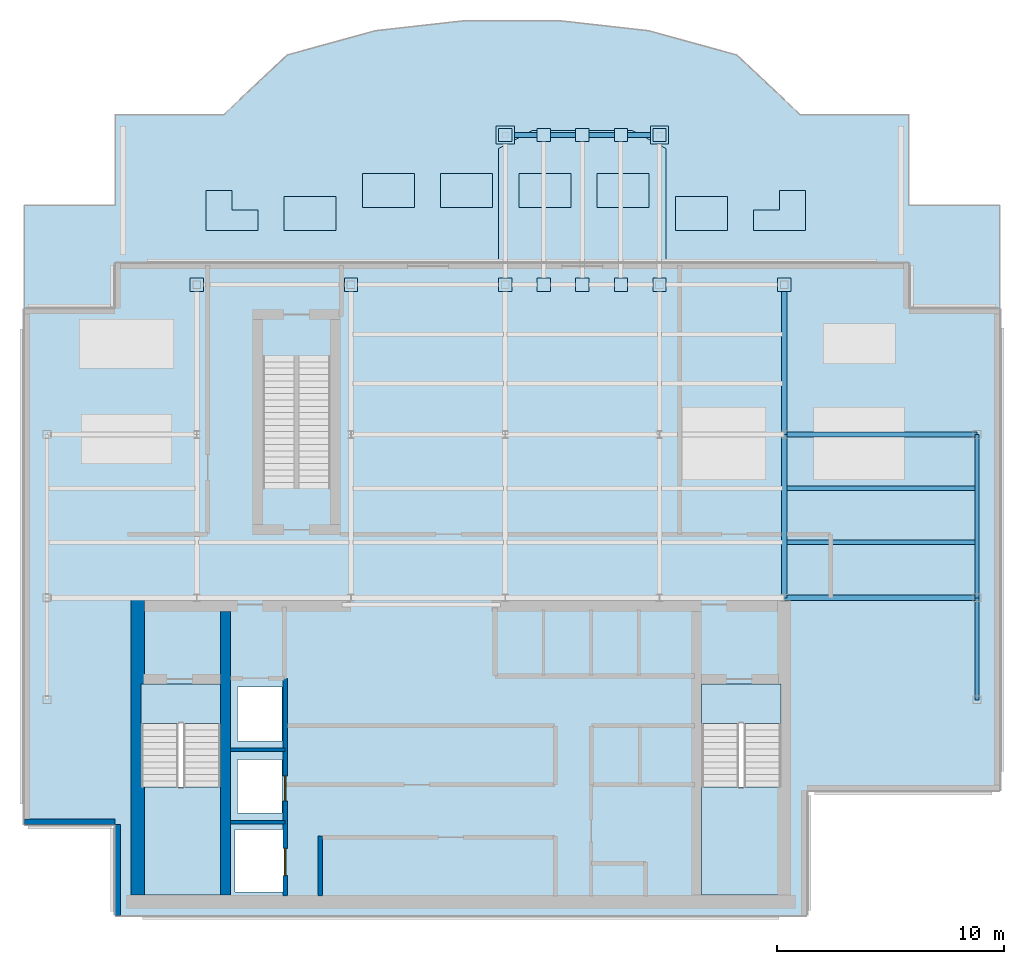
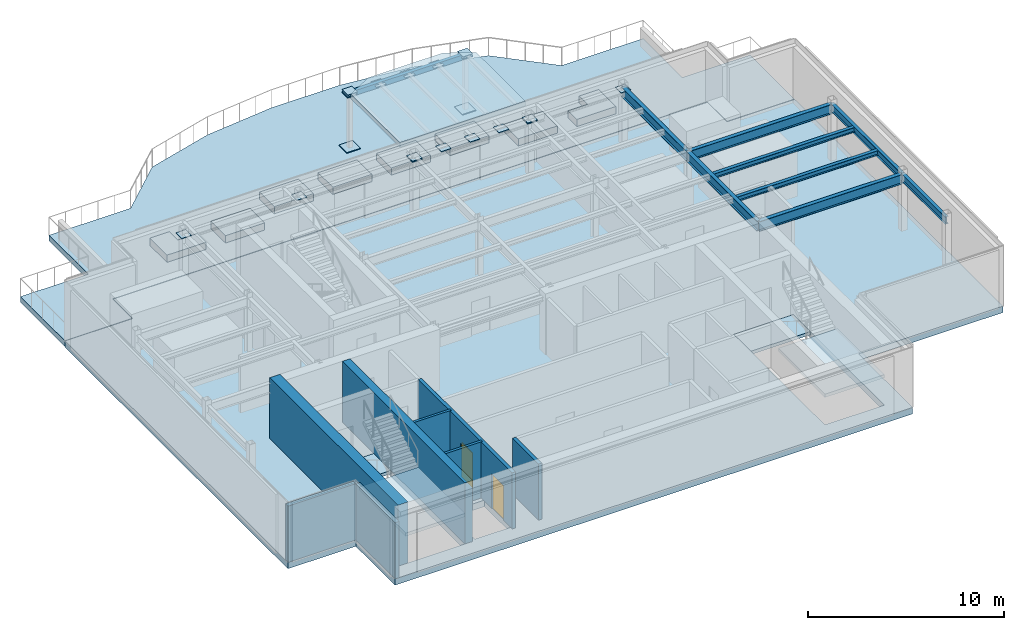
# One storey, part 3 of 9: 21 plates, 15 slabs, 8 beams, 8 walls, 2 doors, 1 member, 2 openings, 2 elements without a shape of their own.
"""IFC4 building model written with IfcOpenShell, lengths in metres."""

from ifc_helpers import new_model, si_unit, derived_unit, direction, frame, frame_2d, origin, origin_2d, place, context, subcontext, project, spatial, polyline, rectangle, hollow_rectangle, i_section, outline, extrude, source, transform, mapped, material, layer, layer_set, material_profile, profile_set, type_object, element, fill, aggregate, save


model = new_model("IFC4")

# Units and contexts
model_context = context("Model", 3, precision=1e-05, world=origin(), true_north=direction((0.0, 1.0)))
body_context = subcontext(model_context, "Body", "Model", "MODEL_VIEW")
ifc_project = project(units=[si_unit("LENGTHUNIT", "METRE"), si_unit("AREAUNIT", "SQUARE_METRE"), si_unit("VOLUMEUNIT", "CUBIC_METRE"), si_unit("PLANEANGLEUNIT", "RADIAN"), si_unit("MASSUNIT", "GRAM", prefix="KILO"), derived_unit("THERMALTRANSMITTANCEUNIT", [(si_unit("POWERUNIT", "WATT"), 1), (si_unit("LENGTHUNIT", "METRE"), -2), (si_unit("THERMODYNAMICTEMPERATUREUNIT", "KELVIN"), -1)])], contexts=[model_context])

# Site, building, storey
site_placement = place(None, origin())
site = spatial("IfcSite", under=ifc_project, at=site_placement, CompositionType="ELEMENT")
building_placement = place(site_placement, origin())
building = spatial("IfcBuilding", under=site, at=building_placement, Name="Skarnbrae Concourse Arena and Tower", CompositionType="ELEMENT")
storey_placement = place(building_placement, frame((0.0, 0.0, 292.25)))
storey = spatial("IfcBuildingStorey", under=building, at=storey_placement, Name="L76", CompositionType="ELEMENT", Elevation=292.25)

# Beams
ifc_material_1 = material(Name="Steel CSA G40.21 350W", Category="steel")
ifc_material_profile_1 = material_profile(ifc_material_1, i_section(OverallWidth=0.22802734375, OverallDepth=0.60791015625, WebThickness=0.01123046875, FlangeThickness=0.017333984375, at=origin_2d()), Name="W610X113")
ifc_profile_set_1 = profile_set([ifc_material_profile_1], Name="Steel CSA G40.21 350W")
beam_type_1 = type_object("IfcBeamType", Name="BM-GIRD-W610X113", PredefinedType="BEAM", material=ifc_profile_set_1)
shared_shape_1 = source(origin(), body_context, "Body", "SweptSolid", [
    extrude(i_section(OverallWidth=0.22802734375, OverallDepth=0.60791015625, WebThickness=0.01123046875, FlangeThickness=0.017333984375, at=origin_2d()), origin(), (0.0, 0.0, 1.0), 6.60009765625),
])
beam_1_placement = place(storey_placement, frame((33.5, 21.199951171875, 3.196044921875), z_axis=(0.0, 1.0, 0.0), x_axis=(-1.0, 0.0, 0.0)))
element("IfcBeam", 1, at=beam_1_placement, inside=storey, type_object=beam_type_1, Name="L76 Primary N-S girder X33.5-2", PredefinedType="BEAM", context=body_context, shape_type="MappedRepresentation", body=[
    mapped(shared_shape_1, transform((0.0, 0.0, 0.0))),
])
shared_shape_2 = source(origin(), body_context, "Body", "SweptSolid", [
    extrude(i_section(OverallWidth=0.22802734375, OverallDepth=0.60791015625, WebThickness=0.01123046875, FlangeThickness=0.017333984375, at=origin_2d()), origin(), (0.0, 0.0, 1.0), 8.5),
])
for number, where, z_axis, x_axis, name in (
    (2, (33.5, 14.0, 3.196044921875), (1.0, 0.0, 0.0), (0.0, 1.0, 0.0), "L76 Primary E-W girder Y14.0-6"),
    (3, (33.5, 21.199951171875, 3.196044921875), (1.0, 0.0, 0.0), (0.0, 1.0, 0.0), "L76 Primary E-W girder Y21.2-6"),
):
    element("IfcBeam", number, at=place(storey_placement, frame(where, z_axis=z_axis, x_axis=x_axis)), inside=storey, type_object=beam_type_1, Name=name, PredefinedType="BEAM", context=body_context, shape_type="MappedRepresentation", body=[
        mapped(shared_shape_2, transform((0.0, 0.0, 0.0))),
    ])
ifc_material_profile_2 = material_profile(ifc_material_1, i_section(OverallWidth=0.19091796875, OverallDepth=0.4599609375, WebThickness=0.010009765625, FlangeThickness=0.01611328125, at=origin_2d()), Name="W460X82")
ifc_profile_set_2 = profile_set([ifc_material_profile_2], Name="Steel CSA G40.21 350W")
beam_type_2 = type_object("IfcBeamType", Name="BM-SPAN-W460X82", PredefinedType="SPANDREL", material=ifc_profile_set_2)
shared_shape_3 = source(origin(), body_context, "Body", "SweptSolid", [
    extrude(i_section(OverallWidth=0.19091796875, OverallDepth=0.4599609375, WebThickness=0.010009765625, FlangeThickness=0.01611328125, at=origin_2d()), origin(), (0.0, 0.0, 1.0), 4.5),
])
beam_2_placement = place(storey_placement, frame((42.0, 9.5, 3.27001953125), z_axis=(0.0, 1.0, 0.0), x_axis=(-1.0, 0.0, 0.0)))
element("IfcBeam", 4, at=beam_2_placement, inside=storey, type_object=beam_type_2, Name="L76 Perimeter spandrel X42.0-1", PredefinedType="SPANDREL", context=body_context, shape_type="MappedRepresentation", body=[
    mapped(shared_shape_3, transform((0.0, 0.0, 0.0))),
])
shared_shape_4 = source(origin(), body_context, "Body", "SweptSolid", [
    extrude(i_section(OverallWidth=0.19091796875, OverallDepth=0.4599609375, WebThickness=0.010009765625, FlangeThickness=0.01611328125, at=origin_2d()), origin(), (0.0, 0.0, 1.0), 7.199951171875),
])
beam_3_placement = place(storey_placement, frame((42.0, 14.0, 3.27001953125), z_axis=(0.0, 1.0, 0.0), x_axis=(-1.0, 0.0, 0.0)))
element("IfcBeam", 5, at=beam_3_placement, inside=storey, type_object=beam_type_2, Name="L76 Perimeter spandrel X42.0-2", PredefinedType="SPANDREL", context=body_context, shape_type="MappedRepresentation", body=[
    mapped(shared_shape_4, transform((0.0, 0.0, 0.0))),
])
shared_shape_5 = source(origin(), body_context, "Body", "SweptSolid", [
    extrude(i_section(OverallWidth=0.22802734375, OverallDepth=0.60791015625, WebThickness=0.01123046875, FlangeThickness=0.017333984375, at=origin_2d()), origin(), (0.0, 0.0, 1.0), 7.199951171875),
])
beam_4_placement = place(storey_placement, frame((33.5, 14.0, 3.196044921875), z_axis=(0.0, 1.0, 0.0), x_axis=(-1.0, 0.0, 0.0)))
element("IfcBeam", 6, at=beam_4_placement, inside=storey, type_object=beam_type_1, Name="L76 Primary N-S girder X33.5-1", PredefinedType="BEAM", context=body_context, shape_type="MappedRepresentation", body=[
    mapped(shared_shape_5, transform((0.0, 0.0, 0.0))),
])
ifc_material_profile_3 = material_profile(ifc_material_1, i_section(OverallWidth=0.202880859375, OverallDepth=0.302978515625, WebThickness=0.007568359375, FlangeThickness=0.01318359375, at=origin_2d()), Name="W310X60")
ifc_profile_set_3 = profile_set([ifc_material_profile_3], Name="Steel CSA G40.21 350W")
beam_type_3 = type_object("IfcBeamType", Name="BM-JOIST-W310X60", PredefinedType="JOIST", material=ifc_profile_set_3)
shared_shape_6 = source(origin(), body_context, "Body", "SweptSolid", [
    extrude(i_section(OverallWidth=0.202880859375, OverallDepth=0.302978515625, WebThickness=0.007568359375, FlangeThickness=0.01318359375, at=origin_2d()), origin(), (0.0, 0.0, 1.0), 8.33984375),
])
for number, where, z_axis, x_axis, name in (
    (7, (33.580078125, 16.447998046875, 3.348388671875), (1.0, 0.0, 0.0), (0.0, 1.0, 0.0), "L76 Secondary floor joist 1.1.6"),
    (8, (33.580078125, 18.823974609375, 3.348388671875), (1.0, 0.0, 0.0), (0.0, 1.0, 0.0), "L76 Secondary floor joist 1.2.6"),
):
    element("IfcBeam", number, at=place(storey_placement, frame(where, z_axis=z_axis, x_axis=x_axis)), inside=storey, type_object=beam_type_3, Name=name, PredefinedType="JOIST", context=body_context, shape_type="MappedRepresentation", body=[
        mapped(shared_shape_6, transform((0.0, 0.0, 0.0))),
    ])

# Member
ifc_material_profile_4 = material_profile(ifc_material_1, hollow_rectangle(XDim=0.203125, YDim=0.3046875, WallThickness=0.0126953125, at=origin_2d()), Name="HSS305X203X12.7")
ifc_profile_set_4 = profile_set([ifc_material_profile_4], Name="Steel CSA G40.21 350W")
member_type = type_object("IfcMemberType", Name="MEM-PURLIN-HSS305X203", PredefinedType="PURLIN", material=ifc_profile_set_4)
shared_shape_7 = source(origin(), body_context, "Body", "SweptSolid", [
    extrude(hollow_rectangle(XDim=0.203125, YDim=0.3046875, WallThickness=0.0126953125, at=origin_2d()), origin(), (0.0, 0.0, 1.0), 6.800048828125),
])
member_placement = place(storey_placement, frame((21.199951171875, 34.39990234375, 3.34765625), z_axis=(1.0, 0.0, 0.0), x_axis=(0.0, 1.0, 0.0)))
element("IfcMember", 9, at=member_placement, inside=storey, type_object=member_type, Name="L76 Sky-garden canopy front ring purlin 01", PredefinedType="PURLIN", context=body_context, shape_type="MappedRepresentation", body=[
    mapped(shared_shape_7, transform((0.0, 0.0, 0.0))),
])

# Stair, slab
ifc_material_2 = material(Name="Concrete 40 MPa (C40/50)", Category="concrete")
stair_type = type_object("IfcStairType", Name="STAIR-DOGLEG-1650", PredefinedType="HALF_TURN_STAIR", material=ifc_material_2)
stair_1_placement = place(storey_placement, origin())
stair_1 = element("IfcStair", 10, at=stair_1_placement, inside=storey, type_object=stair_type, Name="L76 Protected Exit Stair ST-1", PredefinedType="HALF_TURN_STAIR")
ifc_layer_1 = layer(ifc_material_2, 0.199951171875)
ifc_layer_set_1 = layer_set([ifc_layer_1], Name="Concrete 40 MPa (C40/50)")
slab_type_1 = type_object("IfcSlabType", Name="SLAB-LANDING-200", PredefinedType="LANDING", material=ifc_layer_set_1)
slab_1_placement = place(storey_placement, frame((0.0, 0.0, 1.699951171875)))
slab_1 = element("IfcSlab", 11, at=slab_1_placement, type_object=slab_type_1, Name="ST-1 landing 1", PredefinedType="LANDING", context=body_context, shape_type="SweptSolid", body=[
    extrude(outline(polyline([(5.14990234375, 5.64990234375), (5.14990234375, 0.89990234375), (8.64990234375, 0.89990234375), (8.64990234375, 5.64990234375), (5.14990234375, 5.64990234375)])), origin(), (0.0, 0.0, 1.0), 0.199951171875),
])
aggregate(stair_1, [slab_1])

stair_2_placement = place(storey_placement, origin())
stair_2 = element("IfcStair", 12, at=stair_2_placement, inside=storey, type_object=stair_type, Name="L76 Protected Exit Stair ST-2", PredefinedType="HALF_TURN_STAIR")
slab_2_placement = place(storey_placement, frame((0.0, 0.0, 1.699951171875)))
slab_2 = element("IfcSlab", 13, at=slab_2_placement, type_object=slab_type_1, Name="ST-2 landing 1", PredefinedType="LANDING", context=body_context, shape_type="SweptSolid", body=[
    extrude(outline(polyline([(29.85009765625, 5.64990234375), (29.85009765625, 0.89990234375), (33.35009765625, 0.89990234375), (33.35009765625, 5.64990234375), (29.85009765625, 5.64990234375)])), origin(), (0.0, 0.0, 1.0), 0.199951171875),
])
aggregate(stair_2, [slab_2])

# Slabs
slab_3_placement = place(storey_placement, frame((0.0, 0.0, -0.199951171875)))
element("IfcSlab", 14, at=slab_3_placement, inside=storey, type_object=slab_type_1, Name="L76 Core stair ST1 floor landing", PredefinedType="LANDING", context=body_context, shape_type="SweptSolid", body=[
    extrude(outline(polyline([(5.14990234375, 10.199951171875), (5.14990234375, 8.449951171875), (8.64990234375, 8.449951171875), (8.64990234375, 10.199951171875), (5.14990234375, 10.199951171875)])), origin(), (0.0, 0.0, 1.0), 0.199951171875),
])
slab_4_placement = place(storey_placement, frame((0.0, 0.0, -0.199951171875)))
element("IfcSlab", 15, at=slab_4_placement, inside=storey, type_object=slab_type_1, Name="L76 Core stair ST2 floor landing", PredefinedType="LANDING", context=body_context, shape_type="SweptSolid", body=[
    extrude(outline(polyline([(29.85009765625, 10.199951171875), (29.85009765625, 8.449951171875), (33.35009765625, 8.449951171875), (33.35009765625, 10.199951171875), (29.85009765625, 10.199951171875)])), origin(), (0.0, 0.0, 1.0), 0.199951171875),
])
ifc_layer_2 = layer(ifc_material_2, 0.39990234375)
ifc_layer_set_2 = layer_set([ifc_layer_2], Name="Concrete 40 MPa (C40/50)")
slab_type_2 = type_object("IfcSlabType", Name="SLAB-PLANT-400", PredefinedType="FLOOR", material=ifc_layer_set_2)
slab_5_placement = place(storey_placement, frame((0.0, 0.0, -0.39990234375)))
element("IfcSlab", 16, at=slab_5_placement, inside=storey, type_object=slab_type_2, Name="L76 Structural floor slab", PredefinedType="FLOOR", context=body_context, shape_type="SweptSolid", body=[
    extrude(outline(polyline([(4.0, 0.0), (34.5, 0.0), (34.5, 5.5), (43.0, 5.5), (43.0, 26.75), (39.0, 26.75), (39.0, 28.75), (4.0, 28.75), (4.0, 26.75), (0.0, 26.75), (0.0, 4.0), (4.0, 4.0), (4.0, 0.0)]), holes=[polyline([(11.455078125, 1.02001953125), (9.294921875, 1.02001953125), (9.294921875, 3.780029296875), (11.455078125, 3.780029296875), (11.455078125, 1.02001953125)]), polyline([(5.14990234375, 0.89990234375), (5.14990234375, 10.199951171875), (8.64990234375, 10.199951171875), (8.64990234375, 0.89990234375), (5.14990234375, 0.89990234375)]), polyline([(29.85009765625, 0.89990234375), (29.85009765625, 10.199951171875), (33.35009765625, 10.199951171875), (33.35009765625, 0.89990234375), (29.85009765625, 0.89990234375)]), polyline([(9.39501953125, 4.52001953125), (9.39501953125, 6.8798828125), (11.35498046875, 6.8798828125), (11.35498046875, 4.52001953125), (9.39501953125, 4.52001953125)]), polyline([(9.39501953125, 7.695068359375), (9.39501953125, 10.054931640625), (11.35498046875, 10.054931640625), (11.35498046875, 7.695068359375), (9.39501953125, 7.695068359375)])]), origin(), (0.0, 0.0, 1.0), 0.39990234375),
])
ifc_layer_3 = layer(ifc_material_2, 0.449951171875)
ifc_layer_set_3 = layer_set([ifc_layer_3], Name="Concrete 40 MPa (C40/50)")
slab_type_3 = type_object("IfcSlabType", Name="SLAB-PLANTER-450", PredefinedType="USERDEFINED", material=ifc_layer_set_3)
slab_6_placement = place(storey_placement, origin())
element("IfcSlab", 17, at=slab_6_placement, inside=storey, type_object=slab_type_3, Name="L76 Sky Garden structural planter bed 01", ObjectType="PLANTER", PredefinedType="USERDEFINED", context=body_context, shape_type="SweptSolid", body=[
    extrude(outline(polyline([(8.0, 30.199951171875), (10.300048828125, 30.199951171875), (10.300048828125, 31.10009765625), (9.14990234375, 31.10009765625), (9.14990234375, 31.949951171875), (8.0, 31.949951171875), (8.0, 30.199951171875)])), origin(), (0.0, 0.0, 1.0), 0.449951171875),
])
slab_7_placement = place(storey_placement, origin())
element("IfcSlab", 18, at=slab_7_placement, inside=storey, type_object=slab_type_3, Name="L76 Sky Garden structural planter bed 02", ObjectType="PLANTER", PredefinedType="USERDEFINED", context=body_context, shape_type="SweptSolid", body=[
    extrude(outline(polyline([(11.449951171875, 30.199951171875), (13.75, 30.199951171875), (13.75, 31.699951171875), (11.449951171875, 31.699951171875), (11.449951171875, 30.199951171875)])), origin(), (0.0, 0.0, 1.0), 0.449951171875),
])
slab_8_placement = place(storey_placement, origin())
element("IfcSlab", 19, at=slab_8_placement, inside=storey, type_object=slab_type_3, Name="L76 Sky Garden structural planter bed 03", ObjectType="PLANTER", PredefinedType="USERDEFINED", context=body_context, shape_type="SweptSolid", body=[
    extrude(outline(polyline([(14.89990234375, 31.199951171875), (17.199951171875, 31.199951171875), (17.199951171875, 32.699951171875), (14.89990234375, 32.699951171875), (14.89990234375, 31.199951171875)])), origin(), (0.0, 0.0, 1.0), 0.449951171875),
])
slab_9_placement = place(storey_placement, origin())
element("IfcSlab", 20, at=slab_9_placement, inside=storey, type_object=slab_type_3, Name="L76 Sky Garden structural planter bed 04", ObjectType="PLANTER", PredefinedType="USERDEFINED", context=body_context, shape_type="SweptSolid", body=[
    extrude(outline(polyline([(18.35009765625, 31.199951171875), (20.64990234375, 31.199951171875), (20.64990234375, 32.699951171875), (18.35009765625, 32.699951171875), (18.35009765625, 31.199951171875)])), origin(), (0.0, 0.0, 1.0), 0.449951171875),
])
slab_10_placement = place(storey_placement, origin())
element("IfcSlab", 21, at=slab_10_placement, inside=storey, type_object=slab_type_3, Name="L76 Sky Garden structural planter bed 05", ObjectType="PLANTER", PredefinedType="USERDEFINED", context=body_context, shape_type="SweptSolid", body=[
    extrude(outline(polyline([(21.800048828125, 31.199951171875), (24.10009765625, 31.199951171875), (24.10009765625, 32.699951171875), (21.800048828125, 32.699951171875), (21.800048828125, 31.199951171875)])), origin(), (0.0, 0.0, 1.0), 0.449951171875),
])
slab_11_placement = place(storey_placement, origin())
element("IfcSlab", 22, at=slab_11_placement, inside=storey, type_object=slab_type_3, Name="L76 Sky Garden structural planter bed 06", ObjectType="PLANTER", PredefinedType="USERDEFINED", context=body_context, shape_type="SweptSolid", body=[
    extrude(outline(polyline([(25.25, 31.199951171875), (27.550048828125, 31.199951171875), (27.550048828125, 32.699951171875), (25.25, 32.699951171875), (25.25, 31.199951171875)])), origin(), (0.0, 0.0, 1.0), 0.449951171875),
])
slab_12_placement = place(storey_placement, origin())
element("IfcSlab", 23, at=slab_12_placement, inside=storey, type_object=slab_type_3, Name="L76 Sky Garden structural planter bed 07", ObjectType="PLANTER", PredefinedType="USERDEFINED", context=body_context, shape_type="SweptSolid", body=[
    extrude(outline(polyline([(28.699951171875, 30.199951171875), (31.0, 30.199951171875), (31.0, 31.699951171875), (28.699951171875, 31.699951171875), (28.699951171875, 30.199951171875)])), origin(), (0.0, 0.0, 1.0), 0.449951171875),
])
slab_13_placement = place(storey_placement, origin())
element("IfcSlab", 24, at=slab_13_placement, inside=storey, type_object=slab_type_3, Name="L76 Sky Garden structural planter bed 08", ObjectType="PLANTER", PredefinedType="USERDEFINED", context=body_context, shape_type="SweptSolid", body=[
    extrude(outline(polyline([(32.14990234375, 30.199951171875), (34.449951171875, 30.199951171875), (34.449951171875, 31.949951171875), (33.300048828125, 31.949951171875), (33.300048828125, 31.10009765625), (32.14990234375, 31.10009765625), (32.14990234375, 30.199951171875)])), origin(), (0.0, 0.0, 1.0), 0.449951171875),
])
ifc_layer_4 = layer(ifc_material_2, 0.300048828125)
ifc_layer_set_4 = layer_set([ifc_layer_4], Name="Concrete 40 MPa (C40/50)")
slab_type_4 = type_object("IfcSlabType", Name="SLAB-ROOF-300", PredefinedType="ROOF", material=ifc_layer_set_4)
slab_14_placement = place(storey_placement, frame((0.0, 0.0, 3.5)))
element("IfcSlab", 25, at=slab_14_placement, inside=storey, type_object=slab_type_4, Name="L76 Sky Garden sheltering canopy roof slab", PredefinedType="ROOF", context=body_context, shape_type="SweptSolid", body=[
    extrude(outline(polyline([(20.89990234375, 28.780029296875), (28.300048828125, 28.780029296875), (28.300048828125, 33.800048828125), (26.800048828125, 34.60009765625), (22.39990234375, 34.60009765625), (20.89990234375, 33.800048828125), (20.89990234375, 28.780029296875)])), origin(), (0.0, 0.0, 1.0), 0.300048828125),
])
ifc_layer_5 = layer(ifc_material_2, 0.35009765625)
ifc_layer_set_5 = layer_set([ifc_layer_5], Name="Concrete 40 MPa (C40/50)")
slab_type_5 = type_object("IfcSlabType", Name="SLAB-SKYGARDEN-350", PredefinedType="FLOOR", material=ifc_layer_set_5)
slab_15_placement = place(storey_placement, frame((0.0, 0.0, -0.35009765625)))
element("IfcSlab", 26, at=slab_15_placement, inside=storey, type_object=slab_type_5, Name="L76 Rooftop Sky Garden Terrace outdoor slab", PredefinedType="FLOOR", context=body_context, shape_type="SweptSolid", body=[
    extrude(outline(polyline([(0.0, 31.300048828125), (0.0, 26.77001953125), (3.97998046875, 26.77001953125), (3.97998046875, 28.77001953125), (39.02001953125, 28.77001953125), (39.02001953125, 26.77001953125), (43.0, 26.77001953125), (43.0, 31.300048828125), (39.0, 31.300048828125), (39.0, 35.300048828125), (34.199951171875, 35.300048828125), (31.40966796875, 37.9267578125), (27.52587890625, 38.9970703125), (23.51708984375, 39.44677734375), (19.48291015625, 39.44677734375), (15.47412109375, 38.9970703125), (11.59033203125, 37.9267578125), (8.800048828125, 35.300048828125), (4.0, 35.300048828125), (4.0, 31.300048828125), (0.0, 31.300048828125)])), origin(), (0.0, 0.0, 1.0), 0.35009765625),
])

# Plates
ifc_layer_6 = layer(ifc_material_1, 0.031982421875)
ifc_layer_set_6 = layer_set([ifc_layer_6], Name="Steel CSA G40.21 350W")
plate_type_1 = type_object("IfcPlateType", Name="PLT-CAP-HOLLOW", PredefinedType="USERDEFINED", material=ifc_layer_set_6)
shared_shape_8 = source(origin(), body_context, "Body", "SweptSolid", [
    extrude(rectangle(XDim=0.580078125, YDim=0.580078125, at=origin_2d()), origin(), (0.0, 0.0, 1.0), 0.031982421875),
])
for number, where, z_axis, x_axis, name in (
    (27, (21.199951171875, 34.39990234375, 3.33154296875), (0.0, 0.0, 1.0), (1.0, 0.0, 0.0), "L76 Canopy front ring cap plate A"),
    (28, (28.0, 34.39990234375, 3.33154296875), (0.0, 0.0, 1.0), (1.0, 0.0, 0.0), "L76 Canopy front ring cap plate B"),
    (29, (7.60009765625, 27.800048828125, 3.33154296875), (0.0, 0.0, 1.0), (1.0, 0.0, 0.0), "L76 Canopy rear ring cap plate 01A"),
    (30, (14.39990234375, 27.800048828125, 3.33154296875), (0.0, 0.0, 1.0), (1.0, 0.0, 0.0), "L76 Canopy rear ring cap plate 01B"),
    (31, (21.199951171875, 27.800048828125, 3.33154296875), (0.0, 0.0, 1.0), (1.0, 0.0, 0.0), "L76 Canopy rear ring cap plate 02B"),
    (32, (28.0, 27.800048828125, 3.33154296875), (0.0, 0.0, 1.0), (1.0, 0.0, 0.0), "L76 Canopy rear ring cap plate 03B"),
    (33, (33.5, 27.800048828125, 3.33154296875), (0.0, 0.0, 1.0), (1.0, 0.0, 0.0), "L76 Canopy rear ring cap plate 04B"),
    (34, (21.199951171875, 27.800048828125, 3.38232421875), (0.0, 0.0, 1.0), (1.0, 0.0, 0.0), "L76 Canopy purlin end plate 01A"),
    (35, (21.199951171875, 34.39990234375, 3.38232421875), (0.0, 0.0, 1.0), (1.0, 0.0, 0.0), "L76 Canopy purlin end plate 01B"),
    (36, (22.89990234375, 27.800048828125, 3.38232421875), (0.0, 0.0, 1.0), (1.0, 0.0, 0.0), "L76 Canopy purlin end plate 02A"),
    (37, (22.89990234375, 34.39990234375, 3.38232421875), (0.0, 0.0, 1.0), (1.0, 0.0, 0.0), "L76 Canopy purlin end plate 02B"),
    (38, (24.60009765625, 27.800048828125, 3.38232421875), (0.0, 0.0, 1.0), (1.0, 0.0, 0.0), "L76 Canopy purlin end plate 03A"),
    (39, (24.60009765625, 34.39990234375, 3.38232421875), (0.0, 0.0, 1.0), (1.0, 0.0, 0.0), "L76 Canopy purlin end plate 03B"),
    (40, (26.300048828125, 27.800048828125, 3.38232421875), (0.0, 0.0, 1.0), (1.0, 0.0, 0.0), "L76 Canopy purlin end plate 04A"),
    (41, (26.300048828125, 34.39990234375, 3.38232421875), (0.0, 0.0, 1.0), (1.0, 0.0, 0.0), "L76 Canopy purlin end plate 04B"),
    (42, (28.0, 27.800048828125, 3.38232421875), (0.0, 0.0, 1.0), (1.0, 0.0, 0.0), "L76 Canopy purlin end plate 05A"),
    (43, (28.0, 34.39990234375, 3.38232421875), (0.0, 0.0, 1.0), (1.0, 0.0, 0.0), "L76 Canopy purlin end plate 05B"),
    (44, (21.199951171875, 34.39990234375, 3.4990234375), (0.0, 0.0, 1.0), (1.0, 0.0, 0.0), "L76 Hollow column top cap plate 139"),
    (45, (28.0, 34.39990234375, 3.4990234375), (0.0, 0.0, 1.0), (1.0, 0.0, 0.0), "L76 Hollow column top cap plate 140"),
):
    element("IfcPlate", number, at=place(storey_placement, frame(where, z_axis=z_axis, x_axis=x_axis)), inside=storey, type_object=plate_type_1, Name=name, ObjectType="CAP PLATE", PredefinedType="USERDEFINED", context=body_context, shape_type="MappedRepresentation", body=[
        mapped(shared_shape_8, transform((0.0, 0.0, 0.0))),
    ])
ifc_layer_7 = layer(ifc_material_1, 0.050048828125)
ifc_layer_set_7 = layer_set([ifc_layer_7], Name="Steel CSA G40.21 350W")
plate_type_2 = type_object("IfcPlateType", Name="PLT-BASE-CROWN", PredefinedType="SHEET", material=ifc_layer_set_7)
shared_shape_9 = source(origin(), body_context, "Body", "SweptSolid", [
    extrude(rectangle(XDim=0.800048828125, YDim=0.800048828125, at=origin_2d()), origin(), (0.0, 0.0, 1.0), 0.050048828125),
])
for number, where, z_axis, x_axis, name in (
    (46, (21.199951171875, 34.39990234375, 0.0), (0.0, 0.0, 1.0), (1.0, 0.0, 0.0), "L76 Sky-garden canopy base plate BP-CR-01 #01"),
    (47, (28.0, 34.39990234375, 0.0), (0.0, 0.0, 1.0), (1.0, 0.0, 0.0), "L76 Sky-garden canopy base plate BP-CR-01 #02"),
):
    element("IfcPlate", number, at=place(storey_placement, frame(where, z_axis=z_axis, x_axis=x_axis)), inside=storey, type_object=plate_type_2, Name=name, PredefinedType="SHEET", context=body_context, shape_type="MappedRepresentation", body=[
        mapped(shared_shape_9, transform((0.0, 0.0, 0.0))),
    ])

# Walls
ifc_material_3 = material(Name="Concrete 50 MPa (C50/60)", Category="concrete")
ifc_layer_8 = layer(ifc_material_3, 0.60009765625)
ifc_layer_set_8 = layer_set([ifc_layer_8], Name="Concrete 50 MPa (C50/60)")
wall_type_1 = type_object("IfcWallType", Name="WALL-CORE-600-C50", PredefinedType="SHEAR", material=ifc_layer_set_8)
shared_shape_10 = source(origin(), body_context, "Body", "SweptSolid", [
    extrude(rectangle(XDim=13.10009765625, YDim=0.60009765625, at=frame_2d((6.550048828125, 0.0))), origin(), (0.0, 0.0, 1.0), 3.800048828125),
])
wall_1_placement = place(storey_placement, frame((5.0, 0.89990234375, 0.0), z_axis=(0.0, 0.0, 1.0), x_axis=(0.0, 1.0, 0.0)))
element("IfcWall", 48, at=wall_1_placement, inside=storey, type_object=wall_type_1, Name="L76 Rear core shear wall CW-W", PredefinedType="SHEAR", context=body_context, shape_type="MappedRepresentation", body=[
    mapped(shared_shape_10, transform((0.0, 0.0, 0.0))),
])
ifc_layer_9 = layer(ifc_material_3, 0.449951171875)
ifc_layer_set_9 = layer_set([ifc_layer_9], Name="Concrete 50 MPa (C50/60)")
wall_type_2 = type_object("IfcWallType", Name="WALL-CORE-450-C50", PredefinedType="SHEAR", material=ifc_layer_set_9)
shared_shape_11 = source(origin(), body_context, "Body", "SweptSolid", [
    extrude(rectangle(XDim=12.5, YDim=0.449951171875, at=frame_2d((6.25, 0.0))), origin(), (0.0, 0.0, 1.0), 3.800048828125),
])
wall_2_placement = place(storey_placement, frame((8.864990234375, 0.89990234375, 0.0), z_axis=(0.0, 0.0, 1.0), x_axis=(0.0, 1.0, 0.0)))
element("IfcWall", 49, at=wall_2_placement, inside=storey, type_object=wall_type_2, Name="L76 Rear core shear wall CW-WEB-W", PredefinedType="SHEAR", context=body_context, shape_type="MappedRepresentation", body=[
    mapped(shared_shape_11, transform((0.0, 0.0, 0.0))),
])
ifc_material_4 = material(Name="Precast concrete 40 MPa (C40/50)", Category="concrete")
ifc_layer_10 = layer(ifc_material_4, 0.25)
ifc_layer_set_10 = layer_set([ifc_layer_10], Name="Precast concrete 40 MPa (C40/50)")
wall_type_3 = type_object("IfcWallType", Name="WALL-CROWN-BRONZE-250", PredefinedType="STANDARD", material=ifc_layer_set_10)
shared_shape_12 = source(origin(), body_context, "Body", "SweptSolid", [
    extrude(rectangle(XDim=4.0, YDim=0.25, at=frame_2d((2.0, 0.0))), origin(), (0.0, 0.0, 1.0), 3.5),
])
for number, where, z_axis, x_axis, name in (
    (50, (0.0, 4.125, 0.0), (0.0, 0.0, 1.0), (1.0, 0.0, 0.0), "L76 Crown enclosure wall 11"),
    (51, (4.125, 4.0, 0.0), (0.0, 0.0, 1.0), (0.0, -1.0, 0.0), "L76 Crown enclosure wall 12"),
):
    element("IfcWall", number, at=place(storey_placement, frame(where, z_axis=z_axis, x_axis=x_axis)), inside=storey, type_object=wall_type_3, Name=name, PredefinedType="STANDARD", context=body_context, shape_type="MappedRepresentation", body=[
        mapped(shared_shape_12, transform((0.0, 0.0, 0.0))),
    ])

# Wall, openings, doors
ifc_material_5 = material(Name="Gypsum board on cold-formed steel studs", Category="steel")
ifc_layer_11 = layer(ifc_material_5, 0.199951171875)
ifc_layer_set_11 = layer_set([ifc_layer_11], Name="Gypsum board on cold-formed steel studs")
wall_type_4 = type_object("IfcWallType", Name="WALL-PART-200-2HR", PredefinedType="PARTITIONING", material=ifc_layer_set_11)
shared_shape_13 = source(origin(), body_context, "Body", "SweptSolid", [
    extrude(rectangle(XDim=9.599853515625, YDim=0.199951171875, at=frame_2d((4.7998046875, 0.0))), origin(), (0.0, 0.0, 1.0), 3.5),
])
wall_3_placement = place(storey_placement, frame((11.5, 0.85009765625, 0.0), z_axis=(0.0, 0.0, 1.0), x_axis=(0.0, 1.0, 0.0)))
wall_3 = element("IfcWall", 52, at=wall_3_placement, inside=storey, type_object=wall_type_4, Name="L76 Interior partition wall W-L76-FL-E", PredefinedType="PARTITIONING", context=body_context, shape_type="MappedRepresentation", body=[
    mapped(shared_shape_13, transform((0.0, 0.0, 0.0))),
])
opening_1_placement = place(wall_3_placement, frame((4.199951171875, 0.0, 0.0)))
opening_1 = element("IfcOpeningElement", 53, at=opening_1_placement, cuts=wall_3, Name="Opening LD-01", PredefinedType="OPENING", context=body_context, shape_type="SweptSolid", body=[
    extrude(rectangle(XDim=1.10009765625, YDim=2.14990234375, at=frame_2d((0.550048828125, 1.074951171875))), frame((0.0, 0.10986328125, 0.0), z_axis=(0.0, -1.0, 0.0), x_axis=(1.0, 0.0, 0.0)), (0.0, 0.0, 1.0), 0.219970703125),
])
opening_2_placement = place(wall_3_placement, frame((0.89990234375, 0.0, 0.0)))
opening_2 = element("IfcOpeningElement", 54, at=opening_2_placement, cuts=wall_3, Name="Opening LD-02", PredefinedType="OPENING", context=body_context, shape_type="SweptSolid", body=[
    extrude(rectangle(XDim=1.199951171875, YDim=2.14990234375, at=frame_2d((0.60009765625, 1.074951171875))), frame((0.0, 0.10986328125, 0.0), z_axis=(0.0, -1.0, 0.0), x_axis=(1.0, 0.0, 0.0)), (0.0, 0.0, 1.0), 0.219970703125),
])
door_type_1 = type_object("IfcDoorType", Name="DOOR-LIFT-SLIDE-1100", OperationType="SLIDING_TO_LEFT", PredefinedType="DOOR", material=ifc_material_1)
shared_shape_14 = source(origin(), body_context, "Body", "SweptSolid", [
    extrude(rectangle(XDim=1.10009765625, YDim=2.14990234375, at=frame_2d((0.550048828125, 1.074951171875))), frame((0.0, 0.02490234375, 0.0), z_axis=(0.0, -1.0, 0.0), x_axis=(1.0, 0.0, 0.0)), (0.0, 0.0, 1.0), 0.050048828125),
])
door_1_placement = place(opening_1_placement, frame((1.10009765625, 0.0, 0.0), z_axis=(0.0, 0.0, 1.0), x_axis=(-1.0, 0.0, 0.0)))
door_1 = element("IfcDoor", 55, at=door_1_placement, inside=storey, type_object=door_type_1, Name="D-2298 Firefighting Lift Landing Door FL-02", OperationType="SLIDING_TO_LEFT", OverallHeight=2.14990234375, OverallWidth=1.10009765625, PredefinedType="DOOR", context=body_context, shape_type="MappedRepresentation", body=[
    mapped(shared_shape_14, transform((0.0, 0.0, 0.0))),
])
fill(opening_1, door_1)
door_type_2 = type_object("IfcDoorType", Name="DOOR-LIFT-SLIDE-1200", OperationType="SLIDING_TO_LEFT", PredefinedType="DOOR", material=ifc_material_1)
shared_shape_15 = source(origin(), body_context, "Body", "SweptSolid", [
    extrude(rectangle(XDim=1.199951171875, YDim=2.14990234375, at=frame_2d((0.60009765625, 1.074951171875))), frame((0.0, 0.02490234375, 0.0), z_axis=(0.0, -1.0, 0.0), x_axis=(1.0, 0.0, 0.0)), (0.0, 0.0, 1.0), 0.050048828125),
])
door_2_placement = place(opening_2_placement, frame((1.199951171875, 0.0, 0.0), z_axis=(0.0, 0.0, 1.0), x_axis=(-1.0, 0.0, 0.0)))
door_2 = element("IfcDoor", 56, at=door_2_placement, inside=storey, type_object=door_type_2, Name="D-2299 Service Lift Landing Door SV-01", OperationType="SLIDING_TO_LEFT", OverallHeight=2.14990234375, OverallWidth=1.199951171875, PredefinedType="DOOR", context=body_context, shape_type="MappedRepresentation", body=[
    mapped(shared_shape_15, transform((0.0, 0.0, 0.0))),
])
fill(opening_2, door_2)

# Walls
ifc_layer_12 = layer(ifc_material_5, 0.14990234375)
ifc_layer_set_12 = layer_set([ifc_layer_12], Name="Gypsum board on cold-formed steel studs")
wall_type_5 = type_object("IfcWallType", Name="WALL-PART-150", PredefinedType="PARTITIONING", material=ifc_layer_set_12)
shared_shape_16 = source(origin(), body_context, "Body", "SweptSolid", [
    extrude(rectangle(XDim=2.39990234375, YDim=0.14990234375, at=frame_2d((1.199951171875, 0.0))), origin(), (0.0, 0.0, 1.0), 3.5),
])
for number, where, z_axis, x_axis, name in (
    (57, (9.10009765625, 4.10009765625, 0.0), (0.0, 0.0, 1.0), (1.0, 0.0, 0.0), "L76 Interior partition wall W-L76-FL-D1"),
    (58, (9.10009765625, 7.300048828125, 0.0), (0.0, 0.0, 1.0), (1.0, 0.0, 0.0), "L76 Interior partition wall W-L76-FL-D2"),
):
    element("IfcWall", number, at=place(storey_placement, frame(where, z_axis=z_axis, x_axis=x_axis)), inside=storey, type_object=wall_type_5, Name=name, PredefinedType="PARTITIONING", context=body_context, shape_type="MappedRepresentation", body=[
        mapped(shared_shape_16, transform((0.0, 0.0, 0.0))),
    ])
shared_shape_17 = source(origin(), body_context, "Body", "SweptSolid", [
    extrude(rectangle(XDim=2.64990234375, YDim=0.199951171875, at=frame_2d((1.324951171875, 0.0))), origin(), (0.0, 0.0, 1.0), 3.5),
])
wall_4_placement = place(storey_placement, frame((13.050048828125, 0.85009765625, 0.0), z_axis=(0.0, 0.0, 1.0), x_axis=(0.0, 1.0, 0.0)))
element("IfcWall", 59, at=wall_4_placement, inside=storey, type_object=wall_type_4, Name="L76 Interior partition wall W-L76-B1B-W", PredefinedType="PARTITIONING", context=body_context, shape_type="MappedRepresentation", body=[
    mapped(shared_shape_17, transform((0.0, 0.0, 0.0))),
])

save(model, "model.ifc")
